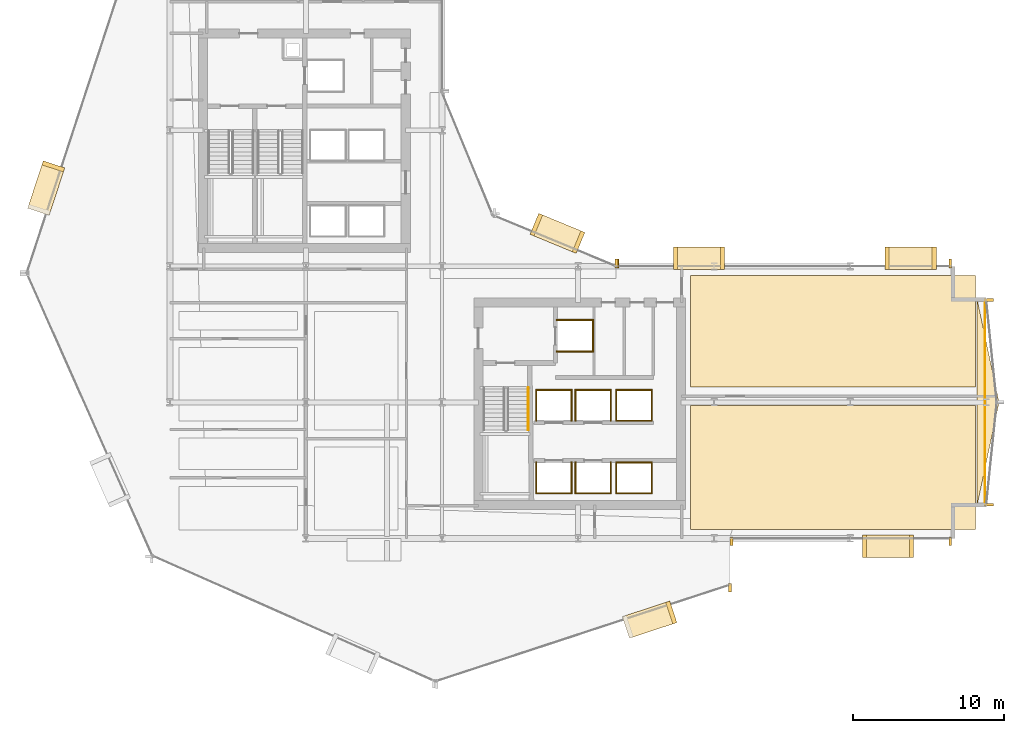
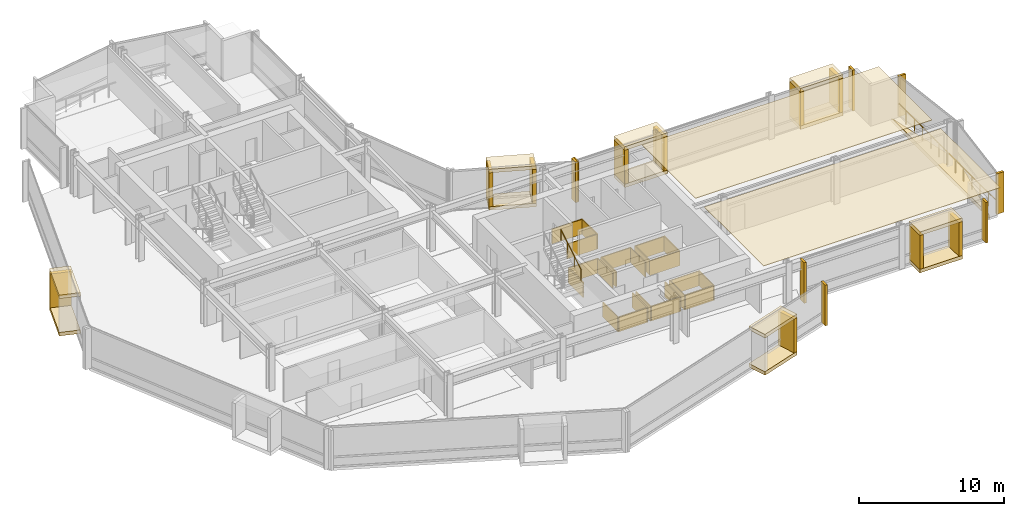
# One storey, part 32 of 34: 56 coverings, 2 railings.
"""IFC4 building model written with IfcOpenShell, lengths in metres."""

import ifcopenshell
import ifcopenshell.guid

model = None  # the IFC model being written
_history = None  # IfcOwnerHistory: only IFC2X3 demands one
_inside = {}  # id of a spatial element -> (the spatial element, [elements in it])
_under = {}  # id of a project, library or spatial element -> (it, [spatial elements below it])
_declared = {}  # id of a project -> (the project, [libraries it declares])
_typed = {}  # id of a type object -> (the type object, [elements of that type])
_made_of = {}  # id of a material, layer set ... -> (it, [elements and type objects made of it])


def new_model(schema):
    """Start an empty IFC model of exactly this schema.

    Asked for "IFC4X3", IfcOpenShell would pick the latest addendum, in which some entities
    have other attributes; the version numbers below select the first issue.
    IFC2X3 requires an IfcOwnerHistory on every rooted entity: one is made here for all.
    """
    global model, _history
    if schema == "IFC4X3":
        model = ifcopenshell.file(schema_version=(4, 3, 0, 0))
    else:
        model = ifcopenshell.file(schema=schema)
    _inside.clear()
    _under.clear()
    _declared.clear()
    _typed.clear()
    _made_of.clear()
    _history = None
    if model.schema == "IFC2X3":
        org = make("IfcOrganization", Name="unknown")
        user = make(
            "IfcPersonAndOrganization",
            ThePerson=make("IfcPerson", FamilyName="unknown"),
            TheOrganization=org,
        )
        app = make(
            "IfcApplication",
            ApplicationDeveloper=org,
            Version="unknown",
            ApplicationFullName="unknown",
            ApplicationIdentifier="unknown",
        )
        _history = make(
            "IfcOwnerHistory",
            OwningUser=user,
            OwningApplication=app,
            ChangeAction="ADDED",
            CreationDate=0,
        )
    return model


def make(cls, **values):
    """One entity of the class cls with the attributes given. An attribute that is None is left unset."""
    return model.create_entity(
        cls, **{name: value for name, value in values.items() if value is not None}
    )


def rooted(cls, **values):
    """An entity with a GlobalId (a new one), such as an element, a storey or a relation."""
    return make(cls, GlobalId=ifcopenshell.guid.new(), OwnerHistory=_history, **values)


def si_unit(unit_type, name, prefix=None):
    """IfcSIUnit, for example si_unit("LENGTHUNIT", "METRE", prefix="MILLI")."""
    return make("IfcSIUnit", UnitType=unit_type, Prefix=prefix, Name=name)


def assignment(units):
    """IfcUnitAssignment: the units of a project."""
    return None if units is None else make("IfcUnitAssignment", Units=units)


def point(xyz):
    """IfcCartesianPoint."""
    return None if xyz is None else make("IfcCartesianPoint", Coordinates=xyz)


def direction(xyz):
    """IfcDirection."""
    return None if xyz is None else make("IfcDirection", DirectionRatios=xyz)


def frame(location, z_axis=None, x_axis=None):
    """IfcAxis2Placement3D, a coordinate frame: its origin and axes. An axis left out is left unset."""
    return make(
        "IfcAxis2Placement3D",
        Location=point(location),
        Axis=direction(z_axis),
        RefDirection=direction(x_axis),
    )


def frame_2d(location, x_axis=None):
    """IfcAxis2Placement2D, a coordinate frame in the plane: its origin and x axis."""
    return make(
        "IfcAxis2Placement2D", Location=point(location), RefDirection=direction(x_axis)
    )


def origin():
    """The frame at (0, 0, 0) with its axes left unset."""
    return frame((0.0, 0.0, 0.0))


def origin_2d():
    """The frame at (0, 0) in the plane with its x axis left unset."""
    return frame_2d((0.0, 0.0))


def place(relative_to, where):
    """IfcLocalPlacement: puts the frame where relative to a parent placement (None: the world)."""
    return make(
        "IfcLocalPlacement", PlacementRelTo=relative_to, RelativePlacement=where
    )


def context(
    kind, dimensions, precision=None, world=None, true_north=None, identifier=None
):
    """IfcGeometricRepresentationContext, for example the 3D "Model" context."""
    return make(
        "IfcGeometricRepresentationContext",
        ContextIdentifier=identifier,
        ContextType=kind,
        CoordinateSpaceDimension=dimensions,
        Precision=precision,
        WorldCoordinateSystem=world,
        TrueNorth=true_north,
    )


def subcontext(parent, identifier, kind, view, scale=None):
    """IfcGeometricRepresentationSubContext, for example "Body" below "Model"."""
    return make(
        "IfcGeometricRepresentationSubContext",
        ContextIdentifier=identifier,
        ContextType=kind,
        ParentContext=parent,
        TargetScale=scale,
        TargetView=view,
    )


def project(units=None, contexts=None):
    """IfcProject with its units and contexts."""
    return rooted(
        "IfcProject",
        Name="project",
        RepresentationContexts=contexts,
        UnitsInContext=assignment(units),
    )


def spatial(cls, under=None, at=None, **own):
    """A site, building, storey or space (cls), placed at a placement, below another one or the project."""
    s = rooted(cls, ObjectPlacement=at, **own)
    if under is not None:
        _under.setdefault(under.id(), (under, []))[1].append(s)
    return s


def polyline(points):
    """IfcPolyline through the points."""
    return make("IfcPolyline", Points=[point(p) for p in points])


def profile(cls, at=None, kind="AREA", **sizes):
    """A parametric profile (cls). Its sizes go by their IFC names, for example OverallWidth=200.0."""
    return make(cls, ProfileType=kind, Position=at, **sizes)


def rectangle(**sizes):
    """IfcRectangleProfileDef."""
    return profile("IfcRectangleProfileDef", **sizes)


def circle(**sizes):
    """IfcCircleProfileDef."""
    return profile("IfcCircleProfileDef", **sizes)


def outline(outer, holes=None, kind="AREA"):
    """IfcArbitraryClosedProfileDef: a profile drawn as a closed curve; with holes, ...WithVoids."""
    if holes is None:
        return make("IfcArbitraryClosedProfileDef", ProfileType=kind, OuterCurve=outer)
    return make(
        "IfcArbitraryProfileDefWithVoids",
        ProfileType=kind,
        OuterCurve=outer,
        InnerCurves=holes,
    )


def extrude(swept, where, along, depth):
    """IfcExtrudedAreaSolid: the profile swept, set in the frame where, extruded along a direction by depth."""
    return make(
        "IfcExtrudedAreaSolid",
        SweptArea=swept,
        Position=where,
        ExtrudedDirection=direction(along),
        Depth=depth,
    )


def shape(context_of_items, identifier, shape_type, items):
    """IfcShapeRepresentation: the items that make up one representation, for example the "Body"."""
    return make(
        "IfcShapeRepresentation",
        ContextOfItems=context_of_items,
        RepresentationIdentifier=identifier,
        RepresentationType=shape_type,
        Items=items,
    )


def material(Name=None, Category=None):
    """IfcMaterial."""
    return make("IfcMaterial", Name=Name, Category=Category)


def layer(
    of_material, thickness, ventilated=None, Name=None, Category=None, Priority=None
):
    """IfcMaterialLayer: one layer of a wall or slab, of a material (None: an air gap)."""
    return make(
        "IfcMaterialLayer",
        Material=of_material,
        LayerThickness=thickness,
        IsVentilated=ventilated,
        Name=Name,
        Category=Category,
        Priority=Priority,
    )


def layer_set(layers, Name=None):
    """IfcMaterialLayerSet."""
    return make("IfcMaterialLayerSet", MaterialLayers=layers, LayerSetName=Name)


def made_of(thing, what):
    """Note that an element or type object is made of a material, layer set ...; save() writes the relation."""
    if what is not None:
        _made_of.setdefault(what.id(), (what, []))[1].append(thing)
    return thing


def type_object(cls, material=None, **own):
    """A type object (cls), such as IfcWallType, which elements share."""
    return made_of(rooted(cls, **own), material)


def element(
    cls,
    number,
    at=None,
    inside=None,
    cuts=None,
    type_object=None,
    material=None,
    context=None,
    identifier="Body",
    shape_type=None,
    held_by="IfcProductDefinitionShape",
    body=None,
    shapes=None,
    **own,
):
    """One element of the class cls, such as IfcWall. Its Tag is "e" and its number.

    at: its placement. inside: the storey or other place that contains it. cuts: it is an
    opening in that element (IfcRelVoidsElement). A single representation is given by context,
    identifier, shape_type and body (its items); several are given by shapes. held_by: the class
    of the entity that holds the representations. save() writes the other relations.
    """
    e = rooted(cls, Tag="e%d" % number, ObjectPlacement=at, **own)
    if body is not None:
        shapes = [shape(context, identifier, shape_type, body)]
    if shapes is not None:
        e.Representation = make(held_by, Representations=shapes)
    if inside is not None:
        _inside.setdefault(inside.id(), (inside, []))[1].append(e)
    if cuts is not None:
        rooted(
            "IfcRelVoidsElement", RelatingBuildingElement=cuts, RelatedOpeningElement=e
        )
    if type_object is not None:
        _typed.setdefault(type_object.id(), (type_object, []))[1].append(e)
    return made_of(e, material)


def aggregate(whole, parts):
    """IfcRelAggregates: a whole, such as a stair, and the parts it consists of."""
    return rooted("IfcRelAggregates", RelatingObject=whole, RelatedObjects=parts)


def save(model, path):
    """Write the relations noted so far, then the file.

    IfcRelAggregates (storeys below a building ...), IfcRelContainedInSpatialStructure (elements
    in a storey), IfcRelDefinesByType, IfcRelAssociatesMaterial and IfcRelDeclares: one each for
    every whole, place, type object, material and project.
    """
    for whole, parts in _under.values():
        aggregate(whole, parts)
    for where, things in _inside.values():
        rooted(
            "IfcRelContainedInSpatialStructure",
            RelatedElements=things,
            RelatingStructure=where,
        )
    for kind, things in _typed.values():
        rooted("IfcRelDefinesByType", RelatedObjects=things, RelatingType=kind)
    for what, things in _made_of.values():
        rooted("IfcRelAssociatesMaterial", RelatedObjects=things, RelatingMaterial=what)
    for by, libraries in _declared.values():
        rooted("IfcRelDeclares", RelatingContext=by, RelatedDefinitions=libraries)
    model.write(path)


model = new_model("IFC4")

# Units and contexts
model_context = context("Model", 3, precision=1e-05, world=origin(), true_north=direction((0.0, 1.0)))
body_context = subcontext(model_context, "Body", "Model", "MODEL_VIEW")
ifc_project = project(units=[si_unit("LENGTHUNIT", "METRE"), si_unit("AREAUNIT", "SQUARE_METRE"), si_unit("VOLUMEUNIT", "CUBIC_METRE"), si_unit("PLANEANGLEUNIT", "RADIAN"), si_unit("MASSUNIT", "GRAM", prefix="KILO")], contexts=[model_context])

# Site, building, storey
site_placement = place(None, origin())
site = spatial("IfcSite", under=ifc_project, at=site_placement, CompositionType="ELEMENT")
building_placement = place(site_placement, origin())
building = spatial("IfcBuilding", under=site, at=building_placement, Name="Solvaryn Broadcast Tower", CompositionType="ELEMENT")
storey_placement = place(building_placement, frame((0.0, 0.0, 65.60009765625)))
storey = spatial("IfcBuildingStorey", under=building, at=storey_placement, Name="L15", CompositionType="ELEMENT", Elevation=65.60009765625)

# Coverings
ifc_material_1 = material(Name="Micro-Perforated Acoustic Gypsum Ceiling", Category="concrete")
ifc_layer_1 = layer(ifc_material_1, 0.0400390625)
ifc_layer_set_1 = layer_set([ifc_layer_1], Name="CV-CEIL-ACOUSTIC")
covering_type_1 = type_object("IfcCoveringType", Name="CV-CEIL-ACOUSTIC", PredefinedType="CEILING", material=ifc_layer_set_1)
covering_1_placement = place(storey_placement, frame((0.0, 0.0, 3.3798828125)))
element("IfcCovering", 1, at=covering_1_placement, inside=storey, type_object=covering_type_1, Name="L15 Room Acoustic Ceiling 10", PredefinedType="CEILING", context=body_context, shape_type="SweptSolid", body=[
    extrude(outline(polyline([(43.449951171875, 9.60009765625), (62.300048828125, 9.60009765625), (62.300048828125, 17.800048828125), (43.449951171875, 17.800048828125), (43.449951171875, 9.60009765625)])), origin(), (0.0, 0.0, 1.0), 0.0400390625),
])
covering_2_placement = place(storey_placement, frame((0.0, 0.0, 3.3798828125)))
element("IfcCovering", 2, at=covering_2_placement, inside=storey, type_object=covering_type_1, Name="L15 Room Acoustic Ceiling 11", PredefinedType="CEILING", context=body_context, shape_type="SweptSolid", body=[
    extrude(outline(polyline([(43.449951171875, 19.0), (62.300048828125, 19.0), (62.300048828125, 26.39990234375), (43.449951171875, 26.39990234375), (43.449951171875, 19.0)])), origin(), (0.0, 0.0, 1.0), 0.0400390625),
])
ifc_material_2 = material(Name="Fire-Rated Gypsum Shaftwall Liner", Category="concrete")
ifc_layer_2 = layer(ifc_material_2, 0.080078125)
ifc_layer_set_2 = layer_set([ifc_layer_2], Name="CV-SHAFT-LINER")
covering_type_2 = type_object("IfcCoveringType", Name="CV-SHAFT-LINER", PredefinedType="CLADDING", material=ifc_layer_set_2)
for number, where, z_axis, x_axis, name in (
    (3, (35.800048828125, 23.43994140625, 0.0), (0.0, 0.0, 1.0), (1.0, 0.0, 0.0), "L15 FL2 Hoistway Shaft Liner North"),
    (4, (35.800048828125, 21.360107421875, 0.0), (0.0, 0.0, 1.0), (1.0, 0.0, 0.0), "L15 FL2 Hoistway Shaft Liner South"),
):
    element("IfcCovering", number, at=place(storey_placement, frame(where, z_axis=z_axis, x_axis=x_axis)), inside=storey, type_object=covering_type_2, Name=name, PredefinedType="CLADDING", context=body_context, shape_type="SweptSolid", body=[
        extrude(rectangle(XDim=2.4599609375, YDim=0.080078125, at=origin_2d()), origin(), (0.0, 0.0, 1.0), 1.25),
    ])
covering_3_placement = place(storey_placement, frame((36.989990234375, 22.39990234375, 0.0), z_axis=(0.0, 0.0, 1.0), x_axis=(1.0, 0.0, 0.0)))
element("IfcCovering", 5, at=covering_3_placement, inside=storey, type_object=covering_type_2, Name="L15 FL2 Hoistway Shaft Liner East", PredefinedType="CLADDING", context=body_context, shape_type="SweptSolid", body=[
    extrude(rectangle(XDim=0.080078125, YDim=2.159912109375, at=origin_2d()), origin(), (0.0, 0.0, 1.0), 1.25),
])
covering_4_placement = place(storey_placement, frame((34.39990234375, 11.985107421875, 0.0), z_axis=(0.0, 0.0, 1.0), x_axis=(1.0, 0.0, 0.0)))
element("IfcCovering", 6, at=covering_4_placement, inside=storey, type_object=covering_type_2, Name="L15 PL1 Hoistway Shaft Liner South", PredefinedType="CLADDING", context=body_context, shape_type="SweptSolid", body=[
    extrude(rectangle(XDim=2.409912109375, YDim=0.080078125, at=origin_2d()), origin(), (0.0, 0.0, 1.0), 1.25),
])
for number, where, z_axis, x_axis, name in (
    (7, (35.56494140625, 13.0, 0.0), (0.0, 0.0, 1.0), (1.0, 0.0, 0.0), "L15 PL1 Hoistway Shaft Liner East"),
    (8, (33.235107421875, 13.0, 0.0), (0.0, 0.0, 1.0), (1.0, 0.0, 0.0), "L15 PL1 Hoistway Shaft Liner West"),
):
    element("IfcCovering", number, at=place(storey_placement, frame(where, z_axis=z_axis, x_axis=x_axis)), inside=storey, type_object=covering_type_2, Name=name, PredefinedType="CLADDING", context=body_context, shape_type="SweptSolid", body=[
        extrude(rectangle(XDim=0.080078125, YDim=2.110107421875, at=origin_2d()), origin(), (0.0, 0.0, 1.0), 1.25),
    ])
covering_5_placement = place(storey_placement, frame((37.0, 11.985107421875, 0.0), z_axis=(0.0, 0.0, 1.0), x_axis=(1.0, 0.0, 0.0)))
element("IfcCovering", 9, at=covering_5_placement, inside=storey, type_object=covering_type_2, Name="L15 PL2 Hoistway Shaft Liner South", PredefinedType="CLADDING", context=body_context, shape_type="SweptSolid", body=[
    extrude(rectangle(XDim=2.409912109375, YDim=0.080078125, at=origin_2d()), origin(), (0.0, 0.0, 1.0), 1.25),
])
for number, where, z_axis, x_axis, name in (
    (10, (38.1650390625, 13.0, 0.0), (0.0, 0.0, 1.0), (1.0, 0.0, 0.0), "L15 PL2 Hoistway Shaft Liner East"),
    (11, (35.8349609375, 13.0, 0.0), (0.0, 0.0, 1.0), (1.0, 0.0, 0.0), "L15 PL2 Hoistway Shaft Liner West"),
):
    element("IfcCovering", number, at=place(storey_placement, frame(where, z_axis=z_axis, x_axis=x_axis)), inside=storey, type_object=covering_type_2, Name=name, PredefinedType="CLADDING", context=body_context, shape_type="SweptSolid", body=[
        extrude(rectangle(XDim=0.080078125, YDim=2.110107421875, at=origin_2d()), origin(), (0.0, 0.0, 1.0), 1.25),
    ])
covering_6_placement = place(storey_placement, frame((34.39990234375, 18.81494140625, 0.0), z_axis=(0.0, 0.0, 1.0), x_axis=(1.0, 0.0, 0.0)))
element("IfcCovering", 12, at=covering_6_placement, inside=storey, type_object=covering_type_2, Name="L15 PL3 Hoistway Shaft Liner North", PredefinedType="CLADDING", context=body_context, shape_type="SweptSolid", body=[
    extrude(rectangle(XDim=2.409912109375, YDim=0.080078125, at=origin_2d()), origin(), (0.0, 0.0, 1.0), 1.25),
])
for number, where, z_axis, x_axis, name in (
    (13, (35.56494140625, 17.800048828125, 0.0), (0.0, 0.0, 1.0), (1.0, 0.0, 0.0), "L15 PL3 Hoistway Shaft Liner East"),
    (14, (33.235107421875, 17.800048828125, 0.0), (0.0, 0.0, 1.0), (1.0, 0.0, 0.0), "L15 PL3 Hoistway Shaft Liner West"),
):
    element("IfcCovering", number, at=place(storey_placement, frame(where, z_axis=z_axis, x_axis=x_axis)), inside=storey, type_object=covering_type_2, Name=name, PredefinedType="CLADDING", context=body_context, shape_type="SweptSolid", body=[
        extrude(rectangle(XDim=0.080078125, YDim=2.110107421875, at=origin_2d()), origin(), (0.0, 0.0, 1.0), 1.25),
    ])
covering_7_placement = place(storey_placement, frame((37.0, 18.81494140625, 0.0), z_axis=(0.0, 0.0, 1.0), x_axis=(1.0, 0.0, 0.0)))
element("IfcCovering", 15, at=covering_7_placement, inside=storey, type_object=covering_type_2, Name="L15 PL4 Hoistway Shaft Liner North", PredefinedType="CLADDING", context=body_context, shape_type="SweptSolid", body=[
    extrude(rectangle(XDim=2.409912109375, YDim=0.080078125, at=origin_2d()), origin(), (0.0, 0.0, 1.0), 1.25),
])
for number, where, z_axis, x_axis, name in (
    (16, (38.1650390625, 17.800048828125, 0.0), (0.0, 0.0, 1.0), (1.0, 0.0, 0.0), "L15 PL4 Hoistway Shaft Liner East"),
    (17, (35.8349609375, 17.800048828125, 0.0), (0.0, 0.0, 1.0), (1.0, 0.0, 0.0), "L15 PL4 Hoistway Shaft Liner West"),
):
    element("IfcCovering", number, at=place(storey_placement, frame(where, z_axis=z_axis, x_axis=x_axis)), inside=storey, type_object=covering_type_2, Name=name, PredefinedType="CLADDING", context=body_context, shape_type="SweptSolid", body=[
        extrude(rectangle(XDim=0.080078125, YDim=2.110107421875, at=origin_2d()), origin(), (0.0, 0.0, 1.0), 1.25),
    ])
for number, where, z_axis, x_axis, name in (
    (18, (39.699951171875, 14.014892578125, 0.0), (0.0, 0.0, 1.0), (1.0, 0.0, 0.0), "L15 PM1 Hoistway Shaft Liner North"),
    (19, (39.699951171875, 11.985107421875, 0.0), (0.0, 0.0, 1.0), (1.0, 0.0, 0.0), "L15 PM1 Hoistway Shaft Liner South"),
):
    element("IfcCovering", number, at=place(storey_placement, frame(where, z_axis=z_axis, x_axis=x_axis)), inside=storey, type_object=covering_type_2, Name=name, PredefinedType="CLADDING", context=body_context, shape_type="SweptSolid", body=[
        extrude(rectangle(XDim=2.409912109375, YDim=0.080078125, at=origin_2d()), origin(), (0.0, 0.0, 1.0), 1.25),
    ])
for number, where, z_axis, x_axis, name in (
    (20, (40.864990234375, 13.0, 0.0), (0.0, 0.0, 1.0), (1.0, 0.0, 0.0), "L15 PM1 Hoistway Shaft Liner East"),
    (21, (38.534912109375, 13.0, 0.0), (0.0, 0.0, 1.0), (1.0, 0.0, 0.0), "L15 PM1 Hoistway Shaft Liner West"),
):
    element("IfcCovering", number, at=place(storey_placement, frame(where, z_axis=z_axis, x_axis=x_axis)), inside=storey, type_object=covering_type_2, Name=name, PredefinedType="CLADDING", context=body_context, shape_type="SweptSolid", body=[
        extrude(rectangle(XDim=0.080078125, YDim=2.110107421875, at=origin_2d()), origin(), (0.0, 0.0, 1.0), 1.25),
    ])
for number, where, z_axis, x_axis, name in (
    (22, (39.699951171875, 18.81494140625, 0.0), (0.0, 0.0, 1.0), (1.0, 0.0, 0.0), "L15 PM2 Hoistway Shaft Liner North"),
    (23, (39.699951171875, 16.784912109375, 0.0), (0.0, 0.0, 1.0), (1.0, 0.0, 0.0), "L15 PM2 Hoistway Shaft Liner South"),
):
    element("IfcCovering", number, at=place(storey_placement, frame(where, z_axis=z_axis, x_axis=x_axis)), inside=storey, type_object=covering_type_2, Name=name, PredefinedType="CLADDING", context=body_context, shape_type="SweptSolid", body=[
        extrude(rectangle(XDim=2.409912109375, YDim=0.080078125, at=origin_2d()), origin(), (0.0, 0.0, 1.0), 1.25),
    ])
for number, where, z_axis, x_axis, name in (
    (24, (40.864990234375, 17.800048828125, 0.0), (0.0, 0.0, 1.0), (1.0, 0.0, 0.0), "L15 PM2 Hoistway Shaft Liner East"),
    (25, (38.534912109375, 17.800048828125, 0.0), (0.0, 0.0, 1.0), (1.0, 0.0, 0.0), "L15 PM2 Hoistway Shaft Liner West"),
):
    element("IfcCovering", number, at=place(storey_placement, frame(where, z_axis=z_axis, x_axis=x_axis)), inside=storey, type_object=covering_type_2, Name=name, PredefinedType="CLADDING", context=body_context, shape_type="SweptSolid", body=[
        extrude(rectangle(XDim=0.080078125, YDim=2.110107421875, at=origin_2d()), origin(), (0.0, 0.0, 1.0), 1.25),
    ])
ifc_material_3 = material(Name="Glazed Architectural Terracotta Rainscreen Cladding", Category="masonry")
ifc_layer_3 = layer(ifc_material_3, 0.280029296875)
ifc_layer_set_3 = layer_set([ifc_layer_3], Name="CV-TC-CLAD")
covering_type_3 = type_object("IfcCoveringType", Name="CV-TC-CLAD", PredefinedType="CLADDING", material=ifc_layer_set_3)
for number, where, z_axis, x_axis, name in (
    (26, (0.819091796875, 32.173095703125, 3.1298828125), (0.0, 0.0, 1.0), (-0.311671636848, -0.950189870912, 0.0), "L15 Projecting Stone Window Box Hood 1"),
    (27, (0.819091796875, 32.173095703125, -0.01025390625), (0.0, 0.0, 1.0), (-0.311671636848, -0.950189870912, 0.0), "L15 Projecting Stone Window Box Sill 1"),
):
    element("IfcCovering", number, at=place(storey_placement, frame(where, z_axis=z_axis, x_axis=x_axis)), inside=storey, type_object=covering_type_3, Name=name, PredefinedType="CLADDING", context=body_context, shape_type="SweptSolid", body=[
        extrude(rectangle(XDim=3.300048828125, YDim=1.5, at=origin_2d()), origin(), (0.0, 0.0, 1.0), 0.300048828125),
    ])
covering_8_placement = place(storey_placement, frame((1.28955078125, 33.60791015625, 0.27978515625), z_axis=(0.0, 0.0, 1.0), x_axis=(-0.311671636848, -0.950189870912, 0.0)))
element("IfcCovering", 28, at=covering_8_placement, inside=storey, type_object=covering_type_3, Name="L15 Projecting Stone Window Box Cheek 1-1", PredefinedType="CLADDING", context=body_context, shape_type="SweptSolid", body=[
    extrude(rectangle(XDim=0.280029296875, YDim=1.5, at=origin_2d()), origin(), (0.0, 0.0, 1.0), 2.860107421875),
])
for number, where, z_axis, x_axis, name in (
    (29, (40.73291015625, 3.6259765625, 3.1298828125), (0.0, 0.0, 1.0), (0.950189870912, 0.311671636848, 0.0), "L15 Projecting Stone Window Box Hood 4"),
    (30, (40.73291015625, 3.6259765625, -0.01025390625), (0.0, 0.0, 1.0), (0.950189870912, 0.311671636848, 0.0), "L15 Projecting Stone Window Box Sill 4"),
):
    element("IfcCovering", number, at=place(storey_placement, frame(where, z_axis=z_axis, x_axis=x_axis)), inside=storey, type_object=covering_type_3, Name=name, PredefinedType="CLADDING", context=body_context, shape_type="SweptSolid", body=[
        extrude(rectangle(XDim=3.300048828125, YDim=1.5, at=origin_2d()), origin(), (0.0, 0.0, 1.0), 0.300048828125),
    ])
covering_9_placement = place(storey_placement, frame((42.167724609375, 4.0966796875, 0.27978515625), z_axis=(0.0, 0.0, 1.0), x_axis=(0.950189870912, 0.311671636848, 0.0)))
element("IfcCovering", 31, at=covering_9_placement, inside=storey, type_object=covering_type_3, Name="L15 Projecting Stone Window Box Cheek 4-2", PredefinedType="CLADDING", context=body_context, shape_type="SweptSolid", body=[
    extrude(rectangle(XDim=0.280029296875, YDim=1.5, at=origin_2d()), origin(), (0.0, 0.0, 1.0), 2.860107421875),
])
for number, where, z_axis, x_axis, name in (
    (32, (34.636962890625, 29.174072265625, 3.1298828125), (0.0, 0.0, 1.0), (-0.923879532511, 0.382683432365, 0.0), "L15 Projecting Stone Window Box Hood 5"),
    (33, (34.636962890625, 29.174072265625, -0.01025390625), (0.0, 0.0, 1.0), (-0.923879532511, 0.382683432365, 0.0), "L15 Projecting Stone Window Box Sill 5"),
):
    element("IfcCovering", number, at=place(storey_placement, frame(where, z_axis=z_axis, x_axis=x_axis)), inside=storey, type_object=covering_type_3, Name=name, PredefinedType="CLADDING", context=body_context, shape_type="SweptSolid", body=[
        extrude(rectangle(XDim=3.300048828125, YDim=1.5, at=origin_2d()), origin(), (0.0, 0.0, 1.0), 0.300048828125),
    ])
for number, where, z_axis, x_axis, name in (
    (34, (36.031982421875, 28.59619140625, 0.27978515625), (0.0, 0.0, 1.0), (-0.923879532511, 0.382683432365, 0.0), "L15 Projecting Stone Window Box Cheek 5-1"),
    (35, (33.241943359375, 29.751953125, 0.27978515625), (0.0, 0.0, 1.0), (-0.923879532511, 0.382683432365, 0.0), "L15 Projecting Stone Window Box Cheek 5-2"),
):
    element("IfcCovering", number, at=place(storey_placement, frame(where, z_axis=z_axis, x_axis=x_axis)), inside=storey, type_object=covering_type_3, Name=name, PredefinedType="CLADDING", context=body_context, shape_type="SweptSolid", body=[
        extrude(rectangle(XDim=0.280029296875, YDim=1.5, at=origin_2d()), origin(), (0.0, 0.0, 1.0), 2.860107421875),
    ])
for number, where, z_axis, x_axis, name in (
    (36, (56.5, 8.469970703125, 3.1298828125), (0.0, 0.0, 1.0), (1.0, 0.0, 0.0), "L15 Projecting Stone Window Box Hood 6"),
    (37, (56.5, 8.469970703125, -0.01025390625), (0.0, 0.0, 1.0), (1.0, 0.0, 0.0), "L15 Projecting Stone Window Box Sill 6"),
):
    element("IfcCovering", number, at=place(storey_placement, frame(where, z_axis=z_axis, x_axis=x_axis)), inside=storey, type_object=covering_type_3, Name=name, PredefinedType="CLADDING", context=body_context, shape_type="SweptSolid", body=[
        extrude(rectangle(XDim=3.39990234375, YDim=1.5, at=origin_2d()), origin(), (0.0, 0.0, 1.0), 0.300048828125),
    ])
for number, where, z_axis, x_axis, name in (
    (38, (54.93994140625, 8.469970703125, 0.27978515625), (0.0, 0.0, 1.0), (1.0, 0.0, 0.0), "L15 Projecting Stone Window Box Cheek 6-1"),
    (39, (58.06005859375, 8.469970703125, 0.27978515625), (0.0, 0.0, 1.0), (1.0, 0.0, 0.0), "L15 Projecting Stone Window Box Cheek 6-2"),
):
    element("IfcCovering", number, at=place(storey_placement, frame(where, z_axis=z_axis, x_axis=x_axis)), inside=storey, type_object=covering_type_3, Name=name, PredefinedType="CLADDING", context=body_context, shape_type="SweptSolid", body=[
        extrude(rectangle(XDim=0.280029296875, YDim=1.5, at=origin_2d()), origin(), (0.0, 0.0, 1.0), 2.860107421875),
    ])
for number, where, z_axis, x_axis, name in (
    (40, (44.0, 27.530029296875, 3.1298828125), (0.0, 0.0, 1.0), (1.0, 0.0, 0.0), "L15 Projecting Stone Window Box Hood 7"),
    (41, (44.0, 27.530029296875, -0.01025390625), (0.0, 0.0, 1.0), (1.0, 0.0, 0.0), "L15 Projecting Stone Window Box Sill 7"),
):
    element("IfcCovering", number, at=place(storey_placement, frame(where, z_axis=z_axis, x_axis=x_axis)), inside=storey, type_object=covering_type_3, Name=name, PredefinedType="CLADDING", context=body_context, shape_type="SweptSolid", body=[
        extrude(rectangle(XDim=3.39990234375, YDim=1.5, at=origin_2d()), origin(), (0.0, 0.0, 1.0), 0.300048828125),
    ])
for number, where, z_axis, x_axis, name in (
    (42, (42.43994140625, 27.530029296875, 0.27978515625), (0.0, 0.0, 1.0), (1.0, 0.0, 0.0), "L15 Projecting Stone Window Box Cheek 7-1"),
    (43, (45.56005859375, 27.530029296875, 0.27978515625), (0.0, 0.0, 1.0), (1.0, 0.0, 0.0), "L15 Projecting Stone Window Box Cheek 7-2"),
):
    element("IfcCovering", number, at=place(storey_placement, frame(where, z_axis=z_axis, x_axis=x_axis)), inside=storey, type_object=covering_type_3, Name=name, PredefinedType="CLADDING", context=body_context, shape_type="SweptSolid", body=[
        extrude(rectangle(XDim=0.280029296875, YDim=1.5, at=origin_2d()), origin(), (0.0, 0.0, 1.0), 2.860107421875),
    ])
for number, where, z_axis, x_axis, name in (
    (44, (58.0, 27.530029296875, 3.1298828125), (0.0, 0.0, 1.0), (1.0, 0.0, 0.0), "L15 Projecting Stone Window Box Hood 8"),
    (45, (58.0, 27.530029296875, -0.01025390625), (0.0, 0.0, 1.0), (1.0, 0.0, 0.0), "L15 Projecting Stone Window Box Sill 8"),
):
    element("IfcCovering", number, at=place(storey_placement, frame(where, z_axis=z_axis, x_axis=x_axis)), inside=storey, type_object=covering_type_3, Name=name, PredefinedType="CLADDING", context=body_context, shape_type="SweptSolid", body=[
        extrude(rectangle(XDim=3.39990234375, YDim=1.5, at=origin_2d()), origin(), (0.0, 0.0, 1.0), 0.300048828125),
    ])
for number, where, z_axis, x_axis, name in (
    (46, (56.43994140625, 27.530029296875, 0.27978515625), (0.0, 0.0, 1.0), (1.0, 0.0, 0.0), "L15 Projecting Stone Window Box Cheek 8-1"),
    (47, (59.56005859375, 27.530029296875, 0.27978515625), (0.0, 0.0, 1.0), (1.0, 0.0, 0.0), "L15 Projecting Stone Window Box Cheek 8-2"),
):
    element("IfcCovering", number, at=place(storey_placement, frame(where, z_axis=z_axis, x_axis=x_axis)), inside=storey, type_object=covering_type_3, Name=name, PredefinedType="CLADDING", context=body_context, shape_type="SweptSolid", body=[
        extrude(rectangle(XDim=0.280029296875, YDim=1.5, at=origin_2d()), origin(), (0.0, 0.0, 1.0), 2.860107421875),
    ])
ifc_material_4 = material(Name="Extruded Architectural Terracotta Fin", Category="masonry")
ifc_layer_4 = layer(ifc_material_4, 0.179931640625)
ifc_layer_set_4 = layer_set([ifc_layer_4], Name="CV-TC-FIN")
covering_type_4 = type_object("IfcCoveringType", Name="CV-TC-FIN", PredefinedType="USERDEFINED", material=ifc_layer_set_4)
for number, where, z_axis, x_axis, name in (
    (48, (46.043701171875, 5.735595703125, 0.0), (0.0, 0.0, 1.0), (1.0, 0.0, 0.0), "L15 Terracotta Vertical Fin FIN-L15-DR4-M01"),
    (49, (38.541259765625, 27.177978515625, 0.0), (0.0, 0.0, 1.0), (1.0, 0.0, 0.0), "L15 Terracotta Vertical Fin FIN-L15-CN1-M00"),
    (50, (46.14599609375, 8.8125, 0.0), (0.0, 0.0, 1.0), (1.0, 0.0, 0.0), "L15 Terracotta Vertical Fin FIN-L15-S2-M00"),
    (51, (60.6201171875, 8.8125, 0.0), (0.0, 0.0, 1.0), (1.0, 0.0, 0.0), "L15 Terracotta Vertical Fin FIN-L15-S2-M01"),
):
    element("IfcCovering", number, at=place(storey_placement, frame(where, z_axis=z_axis, x_axis=x_axis)), inside=storey, type_object=covering_type_4, Name=name, ObjectType="FIN", PredefinedType="USERDEFINED", context=body_context, shape_type="SweptSolid", body=[
        extrude(rectangle(XDim=0.179931640625, YDim=0.580078125, at=origin_2d()), origin(), (0.0, 0.0, 1.0), 3.419921875),
    ])
for number, where, z_axis, x_axis, name in (
    (52, (63.190673828125, 24.770263671875, 0.0), (0.0, 0.0, 1.0), (1.0, 0.0, 0.0), "L15 Terracotta Vertical Fin FIN-L15-ET1-M00"),
    (53, (63.190673828125, 11.229736328125, 0.0), (0.0, 0.0, 1.0), (1.0, 0.0, 0.0), "L15 Terracotta Vertical Fin FIN-L15-ET2-M01"),
):
    element("IfcCovering", number, at=place(storey_placement, frame(where, z_axis=z_axis, x_axis=x_axis)), inside=storey, type_object=covering_type_4, Name=name, ObjectType="FIN", PredefinedType="USERDEFINED", context=body_context, shape_type="SweptSolid", body=[
        extrude(rectangle(XDim=0.580078125, YDim=0.179931640625, at=origin_2d()), origin(), (0.0, 0.0, 1.0), 3.419921875),
    ])
for number, where, z_axis, x_axis, name in (
    (54, (38.6298828125, 27.1875, 0.0), (0.0, 0.0, 1.0), (1.0, 0.0, 0.0), "L15 Terracotta Vertical Fin FIN-L15-IH-M00"),
    (55, (60.6201171875, 27.1875, 0.0), (0.0, 0.0, 1.0), (1.0, 0.0, 0.0), "L15 Terracotta Vertical Fin FIN-L15-IH-M01"),
):
    element("IfcCovering", number, at=place(storey_placement, frame(where, z_axis=z_axis, x_axis=x_axis)), inside=storey, type_object=covering_type_4, Name=name, ObjectType="FIN", PredefinedType="USERDEFINED", context=body_context, shape_type="SweptSolid", body=[
        extrude(rectangle(XDim=0.179931640625, YDim=0.580078125, at=origin_2d()), origin(), (0.0, 0.0, 1.0), 3.419921875),
    ])
ifc_material_5 = material(Name="Sculpted Architectural Terracotta Wave Fascia", Category="masonry")
ifc_layer_5 = layer(ifc_material_5, 0.340087890625)
ifc_layer_set_5 = layer_set([ifc_layer_5], Name="CV-WAVE-TRAY")
covering_type_5 = type_object("IfcCoveringType", Name="CV-WAVE-TRAY", PredefinedType="CLADDING", material=ifc_layer_set_5)
covering_10_placement = place(storey_placement, frame((0.0, 0.0, -0.300048828125)))
element("IfcCovering", 56, at=covering_10_placement, inside=storey, type_object=covering_type_5, Name="L15 East Curved Wing Deck", PredefinedType="CLADDING", context=body_context, shape_type="SweptSolid", body=[
    extrude(outline(polyline([(62.39990234375, 11.199951171875), (63.85009765625, 18.0), (62.39990234375, 24.800048828125), (62.39990234375, 11.199951171875)])), origin(), (0.0, 0.0, 1.0), 0.329833984375),
])

# Railings
ifc_material_6 = material(Name="Brushed Stainless Steel Tubular Handrail", Category="steel")
railing_type_1 = type_object("IfcRailingType", Name="RL-STAIR-HANDRAIL", PredefinedType="HANDRAIL", material=ifc_material_6)
railing_1_placement = place(storey_placement, frame((32.699951171875, 16.159912109375, 2.01806640625)))
element("IfcRailing", 57, at=railing_1_placement, inside=storey, type_object=railing_type_1, Name="L15 ST3 stair handrail 2", PredefinedType="HANDRAIL", context=body_context, shape_type="SweptSolid", body=[
    extrude(circle(Radius=0.02392578125, at=origin_2d()), frame((0.0, 0.0, 0.8759765625), z_axis=(0.0, 0.857242210791, 0.514913383045), x_axis=(-1.0, 0.0, 0.0)), (0.0, 0.0, 1.0), 3.266357421875),
    extrude(circle(Radius=0.02099609375, at=origin_2d()), origin(), (0.0, 0.0, 1.0), 0.851806640625),
    extrude(circle(Radius=0.02099609375, at=origin_2d()), frame((0.0, 0.933349609375, 0.560546875)), (0.0, 0.0, 1.0), 0.851806640625),
    extrude(circle(Radius=0.02099609375, at=origin_2d()), frame((0.0, 1.86669921875, 1.121337890625)), (0.0, 0.0, 1.0), 0.851806640625),
    extrude(circle(Radius=0.02099609375, at=origin_2d()), frame((0.0, 2.800048828125, 1.681884765625)), (0.0, 0.0, 1.0), 0.851806640625),
])
ifc_material_7 = material(Name="Stainless Steel and Laminated Glass Guard", Category="steel")
railing_type_2 = type_object("IfcRailingType", Name="RL-TER-1150", PredefinedType="BALUSTRADE", material=ifc_material_7)
railing_2_placement = place(storey_placement, frame((62.919921875, 11.199951171875, 0.0)))
element("IfcRailing", 58, at=railing_2_placement, inside=storey, type_object=railing_type_2, Name="L15 East Wing Spandrel Edge Guard", PredefinedType="BALUSTRADE", context=body_context, shape_type="SweptSolid", body=[
    extrude(circle(Radius=0.02392578125, at=origin_2d()), frame((0.0, 0.0, 1.1259765625), z_axis=(0.0, 1.0, 0.0), x_axis=(-1.0, 0.0, 0.0)), (0.0, 0.0, 1.0), 13.60009765625),
    extrude(circle(Radius=0.02099609375, at=origin_2d()), origin(), (0.0, 0.0, 1.0), 1.101806640625),
    extrude(circle(Radius=0.02099609375, at=origin_2d()), frame((0.0, 1.13330078125, 0.0)), (0.0, 0.0, 1.0), 1.101806640625),
    extrude(circle(Radius=0.02099609375, at=origin_2d()), frame((0.0, 2.2666015625, 0.0)), (0.0, 0.0, 1.0), 1.101806640625),
    extrude(circle(Radius=0.02099609375, at=origin_2d()), frame((0.0, 3.39990234375, 0.0)), (0.0, 0.0, 1.0), 1.101806640625),
    extrude(circle(Radius=0.02099609375, at=origin_2d()), frame((0.0, 4.533447265625, 0.0)), (0.0, 0.0, 1.0), 1.101806640625),
    extrude(circle(Radius=0.02099609375, at=origin_2d()), frame((0.0, 5.666748046875, 0.0)), (0.0, 0.0, 1.0), 1.101806640625),
    extrude(circle(Radius=0.02099609375, at=origin_2d()), frame((0.0, 6.800048828125, 0.0)), (0.0, 0.0, 1.0), 1.101806640625),
    extrude(circle(Radius=0.02099609375, at=origin_2d()), frame((0.0, 7.933349609375, 0.0)), (0.0, 0.0, 1.0), 1.101806640625),
    extrude(circle(Radius=0.02099609375, at=origin_2d()), frame((0.0, 9.066650390625, 0.0)), (0.0, 0.0, 1.0), 1.101806640625),
    extrude(circle(Radius=0.02099609375, at=origin_2d()), frame((0.0, 10.2001953125, 0.0)), (0.0, 0.0, 1.0), 1.101806640625),
    extrude(circle(Radius=0.02099609375, at=origin_2d()), frame((0.0, 11.33349609375, 0.0)), (0.0, 0.0, 1.0), 1.101806640625),
    extrude(circle(Radius=0.02099609375, at=origin_2d()), frame((0.0, 12.466796875, 0.0)), (0.0, 0.0, 1.0), 1.101806640625),
    extrude(circle(Radius=0.02099609375, at=origin_2d()), frame((0.0, 13.60009765625, 0.0)), (0.0, 0.0, 1.0), 1.101806640625),
])

save(model, "model.ifc")
